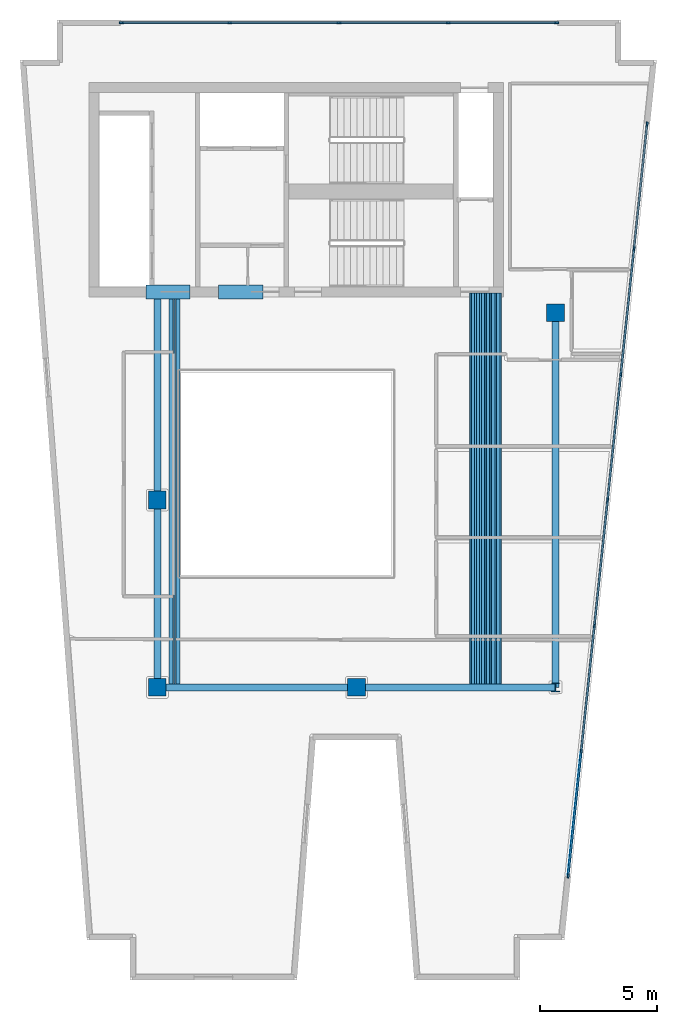
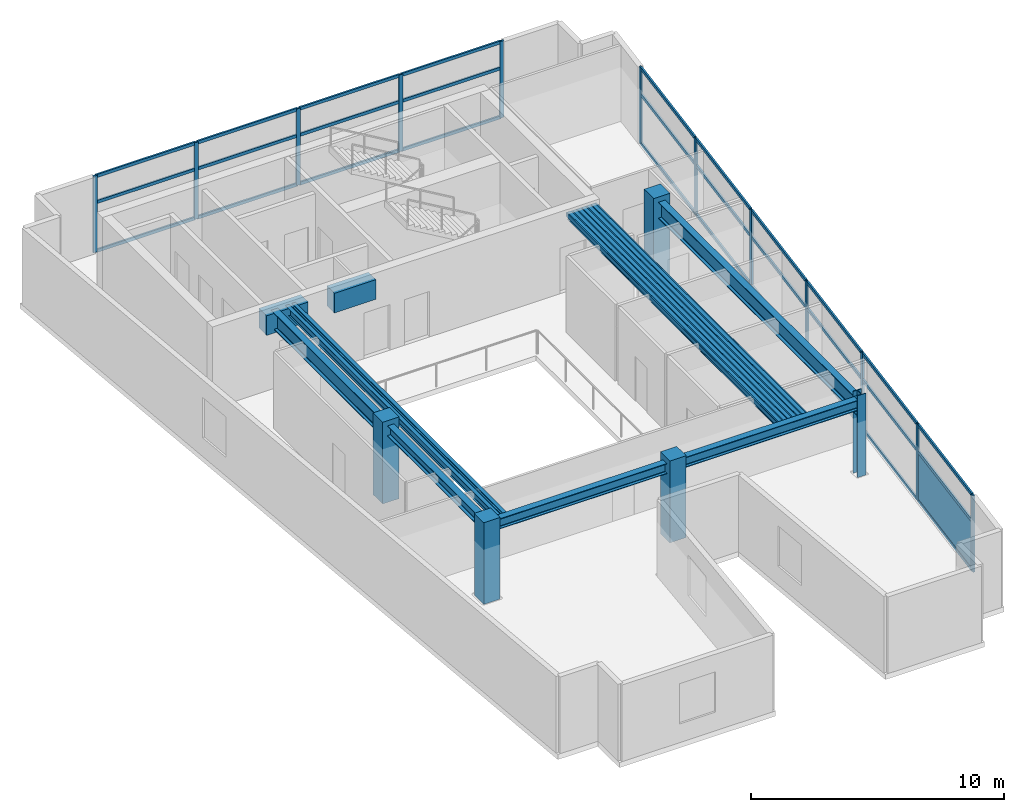
# One storey, part 1 of 6: 42 members, 23 beams, 5 columns, 1 plate, 2 elements without a shape of their own.
"""IFC4 building model written with IfcOpenShell, lengths in metres."""

from ifc_helpers import new_model, si_unit, direction, frame, origin, origin_2d, place, context, subcontext, project, spatial, rectangle, hollow_rectangle, i_section, extrude, material, layer, layer_set, material_profile, profile_set, type_object, element, aggregate, save


model = new_model("IFC4")

# Units and contexts
model_context = context("Model", 3, precision=1e-05, world=origin(), true_north=direction((0.0, 1.0)))
body_context = subcontext(model_context, "Body", "Model", "MODEL_VIEW")
ifc_project = project(units=[si_unit("LENGTHUNIT", "METRE"), si_unit("AREAUNIT", "SQUARE_METRE"), si_unit("VOLUMEUNIT", "CUBIC_METRE"), si_unit("PLANEANGLEUNIT", "RADIAN"), si_unit("MASSUNIT", "GRAM", prefix="KILO")], contexts=[model_context])

# Site, building, storey
site_placement = place(None, origin())
site = spatial("IfcSite", under=ifc_project, at=site_placement, CompositionType="ELEMENT")
building_placement = place(site_placement, origin())
building = spatial("IfcBuilding", under=site, at=building_placement, Name="Caeloran Harvest Quay", CompositionType="ELEMENT")
storey_placement = place(building_placement, frame((0.0, 0.0, 288.300048828125)))
storey = spatial("IfcBuildingStorey", under=building, at=storey_placement, Name="L69", CompositionType="ELEMENT", Elevation=288.300048828125)

# Columns
ifc_material_1 = material(Name="Concrete C60/75", Category="concrete")
ifc_material_profile_1 = material_profile(ifc_material_1, rectangle(XDim=0.75, YDim=0.75, at=origin_2d()), Name="RC 750x750")
ifc_profile_set_1 = profile_set([ifc_material_profile_1], Name="Concrete C60/75")
column_type_1 = type_object("IfcColumnType", Name="COL-MC-5-RC_750x750", PredefinedType="COLUMN", material=ifc_profile_set_1)
for number, where, z_axis, x_axis, name in (
    (1, (8.5, 15.0, 0.0), (0.0, 0.0, 1.0), (1.0, 0.0, 0.0), "L69 Structural Column (8.5, 15.0)"),
    (2, (8.5, 23.0, 0.0), (0.0, 0.0, 1.0), (1.0, 0.0, 0.0), "L69 Structural Column (8.5, 23.0)"),
    (3, (17.0, 15.0, 0.0), (0.0, 0.0, 1.0), (1.0, 0.0, 0.0), "L69 Structural Column (17.0, 15.0)"),
    (4, (25.5, 31.0, 0.0), (0.0, 0.0, 1.0), (1.0, 0.0, 0.0), "L69 Structural Column (25.5, 31.0)"),
):
    element("IfcColumn", number, at=place(storey_placement, frame(where, z_axis=z_axis, x_axis=x_axis)), inside=storey, type_object=column_type_1, Name=name, PredefinedType="COLUMN", context=body_context, shape_type="SweptSolid", body=[
        extrude(rectangle(XDim=0.75, YDim=0.75, at=origin_2d()), origin(), (0.0, 0.0, 1.0), 3.949951171875),
    ])
ifc_material_2 = material(Name="Steel S355J2", Category="steel")
ifc_material_profile_2 = material_profile(ifc_material_2, i_section(OverallWidth=0.3779296875, OverallDepth=0.386962890625, WebThickness=0.0224609375, FlangeThickness=0.03662109375, FilletRadius=0.014892578125, at=origin_2d()), Name="HD 360x262")
ifc_profile_set_2 = profile_set([ifc_material_profile_2], Name="Steel S355J2")
column_type_2 = type_object("IfcColumnType", Name="COL-SC-6-HD_360x262", PredefinedType="COLUMN", material=ifc_profile_set_2)
column_placement = place(storey_placement, frame((25.5, 15.0, 0.0), z_axis=(0.0, 0.0, 1.0), x_axis=(1.0, 0.0, 0.0)))
element("IfcColumn", 5, at=column_placement, inside=storey, type_object=column_type_2, Name="L69 Structural Column (25.5, 15.0)", PredefinedType="COLUMN", context=body_context, shape_type="SweptSolid", body=[
    extrude(i_section(OverallWidth=0.3779296875, OverallDepth=0.386962890625, WebThickness=0.0224609375, FlangeThickness=0.03662109375, FilletRadius=0.014892578125, at=origin_2d()), origin(), (0.0, 0.0, 1.0), 3.949951171875),
])

# Beams
ifc_material_profile_3 = material_profile(ifc_material_1, rectangle(XDim=0.60009765625, YDim=0.949951171875, at=origin_2d()), Name="RC 600x950")
ifc_profile_set_3 = profile_set([ifc_material_profile_3], Name="Concrete C60/75")
beam_type_1 = type_object("IfcBeamType", Name="BM-CB-2-RC_600x950", PredefinedType="LINTEL", material=ifc_profile_set_3)
for number, where, z_axis, x_axis, name in (
    (6, (8.0, 31.889892578125, 3.224853515625), (1.0, 0.0, 0.0), (0.0, 1.0, 0.0), "L69 Core Coupling Beam 1"),
    (7, (11.10009765625, 31.889892578125, 3.224853515625), (1.0, 0.0, 0.0), (0.0, 1.0, 0.0), "L69 Core Coupling Beam 2"),
):
    element("IfcBeam", number, at=place(storey_placement, frame(where, z_axis=z_axis, x_axis=x_axis)), inside=storey, type_object=beam_type_1, Name=name, PredefinedType="LINTEL", context=body_context, shape_type="SweptSolid", body=[
        extrude(rectangle(XDim=0.60009765625, YDim=0.949951171875, at=origin_2d()), origin(), (0.0, 0.0, 1.0), 1.89990234375),
    ])
ifc_material_profile_4 = material_profile(ifc_material_2, i_section(OverallWidth=0.300048828125, OverallDepth=0.800048828125, WebThickness=0.017578125, FlangeThickness=0.032958984375, FilletRadius=0.030029296875, at=origin_2d()), Name="HE 800 B")
ifc_profile_set_4 = profile_set([ifc_material_profile_4], Name="Steel S355J2")
beam_type_2 = type_object("IfcBeamType", Name="BM-PG-1-HE_800_B", PredefinedType="BEAM", material=ifc_profile_set_4)
beam_1_placement = place(storey_placement, frame((8.5, 23.0, 3.300048828125), z_axis=(0.0, 1.0, 0.0), x_axis=(-1.0, 0.0, 0.0)))
element("IfcBeam", 8, at=beam_1_placement, inside=storey, type_object=beam_type_2, Name="L69 Core South Tie Girder X=8.5", PredefinedType="BEAM", context=body_context, shape_type="SweptSolid", body=[
    extrude(i_section(OverallWidth=0.300048828125, OverallDepth=0.800048828125, WebThickness=0.017578125, FlangeThickness=0.032958984375, FilletRadius=0.030029296875, at=origin_2d()), origin(), (0.0, 0.0, 1.0), 8.840087890625),
])
beam_2_placement = place(storey_placement, frame((25.5, 15.0, 3.300048828125), z_axis=(0.0, 1.0, 0.0), x_axis=(-1.0, 0.0, 0.0)))
element("IfcBeam", 9, at=beam_2_placement, inside=storey, type_object=beam_type_2, Name="L69 Primary North-South Girder X=25.5", PredefinedType="BEAM", context=body_context, shape_type="SweptSolid", body=[
    extrude(i_section(OverallWidth=0.300048828125, OverallDepth=0.800048828125, WebThickness=0.017578125, FlangeThickness=0.032958984375, FilletRadius=0.030029296875, at=origin_2d()), origin(), (0.0, 0.0, 1.0), 16.0),
])
ifc_material_profile_5 = material_profile(ifc_material_2, i_section(OverallWidth=0.300048828125, OverallDepth=0.5, WebThickness=0.014404296875, FlangeThickness=0.028076171875, FilletRadius=0.027099609375, at=origin_2d()), Name="HE 500 B")
ifc_profile_set_5 = profile_set([ifc_material_profile_5], Name="Steel S355J2")
beam_type_3 = type_object("IfcBeamType", Name="BM-PG-4-HE_500_B", PredefinedType="BEAM", material=ifc_profile_set_5)
for number, where, z_axis, x_axis, name in (
    (10, (8.5, 15.0, 3.449951171875), (1.0, 0.0, 0.0), (0.0, 1.0, 0.0), "L69 Primary East-West Girder Y=15.0"),
    (11, (17.0, 15.0, 3.449951171875), (1.0, 0.0, 0.0), (0.0, 1.0, 0.0), "L69 Primary East-West Girder Y=15.0"),
):
    element("IfcBeam", number, at=place(storey_placement, frame(where, z_axis=z_axis, x_axis=x_axis)), inside=storey, type_object=beam_type_3, Name=name, PredefinedType="BEAM", context=body_context, shape_type="SweptSolid", body=[
        extrude(i_section(OverallWidth=0.300048828125, OverallDepth=0.5, WebThickness=0.014404296875, FlangeThickness=0.028076171875, FilletRadius=0.027099609375, at=origin_2d()), origin(), (0.0, 0.0, 1.0), 8.5),
    ])
beam_3_placement = place(storey_placement, frame((8.5, 15.0, 3.449951171875), z_axis=(0.0, 1.0, 0.0), x_axis=(-1.0, 0.0, 0.0)))
element("IfcBeam", 12, at=beam_3_placement, inside=storey, type_object=beam_type_3, Name="L69 Primary North-South Girder X=8.5", PredefinedType="BEAM", context=body_context, shape_type="SweptSolid", body=[
    extrude(i_section(OverallWidth=0.300048828125, OverallDepth=0.5, WebThickness=0.014404296875, FlangeThickness=0.028076171875, FilletRadius=0.027099609375, at=origin_2d()), origin(), (0.0, 0.0, 1.0), 8.0),
])
ifc_material_profile_6 = material_profile(ifc_material_2, i_section(OverallWidth=0.169921875, OverallDepth=0.360107421875, WebThickness=0.008056640625, FlangeThickness=0.0126953125, FilletRadius=0.01806640625, at=origin_2d()), Name="IPE 360")
ifc_profile_set_6 = profile_set([ifc_material_profile_6], Name="Steel S355J2")
beam_type_4 = type_object("IfcBeamType", Name="BM-SB-5-IPE_360", PredefinedType="JOIST", material=ifc_profile_set_6)
for number, where, z_axis, x_axis, name in (
    (13, (9.086181640625, 15.14501953125, 3.52001953125), (0.0, 1.0, 0.0), (-1.0, 0.0, 0.0), "L69 Secondary Composite Joist"),
    (14, (9.37939453125, 15.14501953125, 3.52001953125), (0.0, 1.0, 0.0), (-1.0, 0.0, 0.0), "L69 Secondary Composite Joist"),
    (15, (21.972900390625, 15.14501953125, 3.52001953125), (0.0, 1.0, 0.0), (-1.0, 0.0, 0.0), "L69 Secondary Composite Joist"),
    (16, (22.18896484375, 15.14501953125, 3.52001953125), (0.0, 1.0, 0.0), (-1.0, 0.0, 0.0), "L69 Secondary Composite Joist"),
    (17, (22.4052734375, 15.14501953125, 3.52001953125), (0.0, 1.0, 0.0), (-1.0, 0.0, 0.0), "L69 Secondary Composite Joist"),
    (18, (22.621337890625, 15.14501953125, 3.52001953125), (0.0, 1.0, 0.0), (-1.0, 0.0, 0.0), "L69 Secondary Composite Joist"),
    (19, (22.837646484375, 15.14501953125, 3.52001953125), (0.0, 1.0, 0.0), (-1.0, 0.0, 0.0), "L69 Secondary Composite Joist"),
    (20, (23.0537109375, 15.14501953125, 3.52001953125), (0.0, 1.0, 0.0), (-1.0, 0.0, 0.0), "L69 Secondary Composite Joist"),
):
    element("IfcBeam", number, at=place(storey_placement, frame(where, z_axis=z_axis, x_axis=x_axis)), inside=storey, type_object=beam_type_4, Name=name, PredefinedType="JOIST", context=body_context, shape_type="SweptSolid", body=[
        extrude(i_section(OverallWidth=0.169921875, OverallDepth=0.360107421875, WebThickness=0.008056640625, FlangeThickness=0.0126953125, FilletRadius=0.01806640625, at=origin_2d()), origin(), (0.0, 0.0, 1.0), 16.695068359375),
    ])
ifc_material_profile_7 = material_profile(ifc_material_2, hollow_rectangle(XDim=0.080078125, YDim=0.199951171875, WallThickness=0.006103515625, InnerFilletRadius=0.006103515625, OuterFilletRadius=0.009033203125, at=origin_2d()), Name="RHS 200x80x6")
ifc_profile_set_7 = profile_set([ifc_material_profile_7], Name="Steel S355J2")
beam_type_5 = type_object("IfcBeamType", Name="BM-SB-7-RHS_200x80x6", PredefinedType="JOIST", material=ifc_profile_set_7)
for number, where, z_axis, x_axis, name in (
    (21, (9.23291015625, 15.14501953125, 3.599853515625), (0.0, 1.0, 0.0), (-1.0, 0.0, 0.0), "L69 Secondary Composite Joist"),
    (22, (21.86474609375, 15.14501953125, 3.599853515625), (0.0, 1.0, 0.0), (-1.0, 0.0, 0.0), "L69 Secondary Composite Joist"),
    (23, (22.080810546875, 15.14501953125, 3.599853515625), (0.0, 1.0, 0.0), (-1.0, 0.0, 0.0), "L69 Secondary Composite Joist"),
    (24, (22.297119140625, 15.14501953125, 3.599853515625), (0.0, 1.0, 0.0), (-1.0, 0.0, 0.0), "L69 Secondary Composite Joist"),
    (25, (22.51318359375, 15.14501953125, 3.599853515625), (0.0, 1.0, 0.0), (-1.0, 0.0, 0.0), "L69 Secondary Composite Joist"),
    (26, (22.7294921875, 15.14501953125, 3.599853515625), (0.0, 1.0, 0.0), (-1.0, 0.0, 0.0), "L69 Secondary Composite Joist"),
    (27, (22.94580078125, 15.14501953125, 3.599853515625), (0.0, 1.0, 0.0), (-1.0, 0.0, 0.0), "L69 Secondary Composite Joist"),
    (28, (23.161865234375, 15.14501953125, 3.599853515625), (0.0, 1.0, 0.0), (-1.0, 0.0, 0.0), "L69 Secondary Composite Joist"),
):
    element("IfcBeam", number, at=place(storey_placement, frame(where, z_axis=z_axis, x_axis=x_axis)), inside=storey, type_object=beam_type_5, Name=name, PredefinedType="JOIST", context=body_context, shape_type="SweptSolid", body=[
        extrude(hollow_rectangle(XDim=0.080078125, YDim=0.199951171875, WallThickness=0.006103515625, InnerFilletRadius=0.006103515625, OuterFilletRadius=0.009033203125, at=origin_2d()), origin(), (0.0, 0.0, 1.0), 16.695068359375),
    ])

# Curtain wall, members
ifc_material_3 = material(Name="Aluminium 6063-T6 and Low-E Glazing", Category="aluminium")
ifc_layer_1 = layer(ifc_material_3, 0.219970703125, Name="Aluminium 6063-T6 and Low-E Glazing")
ifc_layer_set_1 = layer_set([ifc_layer_1], Name="Aluminium 6063-T6 and Low-E Glazing")
curtain_wall_type = type_object("IfcCurtainWallType", Name="CW-SYS-CW-5", PredefinedType="USERDEFINED", material=ifc_layer_set_1)
curtain_wall_1_placement = place(storey_placement, origin())
curtain_wall_1 = element("IfcCurtainWall", 29, at=curtain_wall_1_placement, inside=storey, type_object=curtain_wall_type, Name="L69 Unitised Curtain Wall CW-5 Run 6", ObjectType="CURTAIN_WALL", PredefinedType="USERDEFINED")
ifc_material_4 = material(Name="Aluminium 6063-T6", Category="aluminium")
ifc_material_profile_8 = material_profile(ifc_material_4, rectangle(XDim=0.080078125, YDim=0.179931640625, at=origin_2d()), Name="CW-MULLION-180")
ifc_profile_set_8 = profile_set([ifc_material_profile_8], Name="Aluminium 6063-T6")
member_type_1 = type_object("IfcMemberType", Name="CW-MULLION-180", PredefinedType="MULLION", material=ifc_profile_set_8)
member_1_placement = place(storey_placement, frame((6.9599609375, 43.3798828125, 0.0), z_axis=(0.0, 0.0, 1.0), x_axis=(0.0, 1.0, 0.0)))
member_1 = element("IfcMember", 30, at=member_1_placement, type_object=member_type_1, Name="CW-5 mullion 1", PredefinedType="MULLION", context=body_context, shape_type="SweptSolid", body=[
    extrude(rectangle(XDim=0.080078125, YDim=0.179931640625, at=origin_2d()), origin(), (0.0, 0.0, 1.0), 3.699951171875),
])
member_2_placement = place(storey_placement, frame((11.5849609375, 43.3798828125, 0.0), z_axis=(0.0, 0.0, 1.0), x_axis=(0.0, 1.0, 0.0)))
member_2 = element("IfcMember", 31, at=member_2_placement, type_object=member_type_1, Name="CW-5 mullion 2", PredefinedType="MULLION", context=body_context, shape_type="SweptSolid", body=[
    extrude(rectangle(XDim=0.080078125, YDim=0.179931640625, at=origin_2d()), origin(), (0.0, 0.0, 1.0), 3.699951171875),
])
member_3_placement = place(storey_placement, frame((16.25, 43.3798828125, 0.0), z_axis=(0.0, 0.0, 1.0), x_axis=(0.0, 1.0, 0.0)))
member_3 = element("IfcMember", 32, at=member_3_placement, type_object=member_type_1, Name="CW-5 mullion 3", PredefinedType="MULLION", context=body_context, shape_type="SweptSolid", body=[
    extrude(rectangle(XDim=0.080078125, YDim=0.179931640625, at=origin_2d()), origin(), (0.0, 0.0, 1.0), 3.699951171875),
])
member_4_placement = place(storey_placement, frame((20.9150390625, 43.3798828125, 0.0), z_axis=(0.0, 0.0, 1.0), x_axis=(0.0, 1.0, 0.0)))
member_4 = element("IfcMember", 33, at=member_4_placement, type_object=member_type_1, Name="CW-5 mullion 4", PredefinedType="MULLION", context=body_context, shape_type="SweptSolid", body=[
    extrude(rectangle(XDim=0.080078125, YDim=0.179931640625, at=origin_2d()), origin(), (0.0, 0.0, 1.0), 3.699951171875),
])
member_5_placement = place(storey_placement, frame((25.5400390625, 43.3798828125, 0.0), z_axis=(0.0, 0.0, 1.0), x_axis=(0.0, 1.0, 0.0)))
member_5 = element("IfcMember", 34, at=member_5_placement, type_object=member_type_1, Name="CW-5 mullion 5", PredefinedType="MULLION", context=body_context, shape_type="SweptSolid", body=[
    extrude(rectangle(XDim=0.080078125, YDim=0.179931640625, at=origin_2d()), origin(), (0.0, 0.0, 1.0), 3.699951171875),
])

curtain_wall_2_placement = place(storey_placement, origin())
curtain_wall_2 = element("IfcCurtainWall", 35, at=curtain_wall_2_placement, inside=storey, type_object=curtain_wall_type, Name="L69 Unitised Curtain Wall CW-5 Run 9", ObjectType="CURTAIN_WALL", PredefinedType="USERDEFINED")
member_6_placement = place(storey_placement, frame((29.412353515625, 39.054443359375, 0.0), z_axis=(0.0, 0.0, 1.0), x_axis=(0.994529078655, -0.104460096251, 0.0)))
member_6 = element("IfcMember", 36, at=member_6_placement, type_object=member_type_1, Name="CW-5 mullion 1", PredefinedType="MULLION", context=body_context, shape_type="SweptSolid", body=[
    extrude(rectangle(XDim=0.080078125, YDim=0.179931640625, at=origin_2d()), origin(), (0.0, 0.0, 1.0), 3.699951171875),
])
member_7_placement = place(storey_placement, frame((28.85302734375, 33.7294921875, 0.0), z_axis=(0.0, 0.0, 1.0), x_axis=(0.994529078655, -0.104460096251, 0.0)))
member_7 = element("IfcMember", 37, at=member_7_placement, type_object=member_type_1, Name="CW-5 mullion 2", PredefinedType="MULLION", context=body_context, shape_type="SweptSolid", body=[
    extrude(rectangle(XDim=0.080078125, YDim=0.179931640625, at=origin_2d()), origin(), (0.0, 0.0, 1.0), 3.699951171875),
])
member_8_placement = place(storey_placement, frame((28.28955078125, 28.36474609375, 0.0), z_axis=(0.0, 0.0, 1.0), x_axis=(0.994529078655, -0.104460096251, 0.0)))
member_8 = element("IfcMember", 38, at=member_8_placement, type_object=member_type_1, Name="CW-5 mullion 3", PredefinedType="MULLION", context=body_context, shape_type="SweptSolid", body=[
    extrude(rectangle(XDim=0.080078125, YDim=0.179931640625, at=origin_2d()), origin(), (0.0, 0.0, 1.0), 3.699951171875),
])
member_9_placement = place(storey_placement, frame((27.72607421875, 23.0, 0.0), z_axis=(0.0, 0.0, 1.0), x_axis=(0.994529078655, -0.104460096251, 0.0)))
member_9 = element("IfcMember", 39, at=member_9_placement, type_object=member_type_1, Name="CW-5 mullion 4", PredefinedType="MULLION", context=body_context, shape_type="SweptSolid", body=[
    extrude(rectangle(XDim=0.080078125, YDim=0.179931640625, at=origin_2d()), origin(), (0.0, 0.0, 1.0), 3.699951171875),
])
member_10_placement = place(storey_placement, frame((27.16259765625, 17.63525390625, 0.0), z_axis=(0.0, 0.0, 1.0), x_axis=(0.994529078655, -0.104460096251, 0.0)))
member_10 = element("IfcMember", 40, at=member_10_placement, type_object=member_type_1, Name="CW-5 mullion 5", PredefinedType="MULLION", context=body_context, shape_type="SweptSolid", body=[
    extrude(rectangle(XDim=0.080078125, YDim=0.179931640625, at=origin_2d()), origin(), (0.0, 0.0, 1.0), 3.699951171875),
])
member_11_placement = place(storey_placement, frame((26.59912109375, 12.2705078125, 0.0), z_axis=(0.0, 0.0, 1.0), x_axis=(0.994529078655, -0.104460096251, 0.0)))
member_11 = element("IfcMember", 41, at=member_11_placement, type_object=member_type_1, Name="CW-5 mullion 6", PredefinedType="MULLION", context=body_context, shape_type="SweptSolid", body=[
    extrude(rectangle(XDim=0.080078125, YDim=0.179931640625, at=origin_2d()), origin(), (0.0, 0.0, 1.0), 3.699951171875),
])
member_12_placement = place(storey_placement, frame((26.039794921875, 6.945556640625, 0.0), z_axis=(0.0, 0.0, 1.0), x_axis=(0.994529078655, -0.104460096251, 0.0)))
member_12 = element("IfcMember", 42, at=member_12_placement, type_object=member_type_1, Name="CW-5 mullion 7", PredefinedType="MULLION", context=body_context, shape_type="SweptSolid", body=[
    extrude(rectangle(XDim=0.080078125, YDim=0.179931640625, at=origin_2d()), origin(), (0.0, 0.0, 1.0), 3.699951171875),
])

# Member
ifc_material_profile_9 = material_profile(ifc_material_4, rectangle(XDim=0.080078125, YDim=0.14990234375, at=origin_2d()), Name="CW-TRANSOM-150")
ifc_profile_set_9 = profile_set([ifc_material_profile_9], Name="Aluminium 6063-T6")
member_type_2 = type_object("IfcMemberType", Name="CW-TRANSOM-150", PredefinedType="USERDEFINED", material=ifc_profile_set_9)
member_13_placement = place(storey_placement, frame((7.0, 43.3798828125, 0.0400390625), z_axis=(1.0, 0.0, 0.0), x_axis=(0.0, 1.0, 0.0)))
member_13 = element("IfcMember", 43, at=member_13_placement, type_object=member_type_2, Name="CW-5 transom 1.1", ObjectType="TRANSOM", PredefinedType="USERDEFINED", context=body_context, shape_type="SweptSolid", body=[
    extrude(rectangle(XDim=0.080078125, YDim=0.14990234375, at=origin_2d()), origin(), (0.0, 0.0, 1.0), 4.544921875),
])

member_14_placement = place(storey_placement, frame((7.0, 43.3798828125, 2.39990234375), z_axis=(1.0, 0.0, 0.0), x_axis=(0.0, 1.0, 0.0)))
member_14 = element("IfcMember", 44, at=member_14_placement, type_object=member_type_2, Name="CW-5 transom 1.2", ObjectType="TRANSOM", PredefinedType="USERDEFINED", context=body_context, shape_type="SweptSolid", body=[
    extrude(rectangle(XDim=0.080078125, YDim=0.14990234375, at=origin_2d()), origin(), (0.0, 0.0, 1.0), 4.544921875),
])

member_15_placement = place(storey_placement, frame((7.0, 43.3798828125, 3.659912109375), z_axis=(1.0, 0.0, 0.0), x_axis=(0.0, 1.0, 0.0)))
member_15 = element("IfcMember", 45, at=member_15_placement, type_object=member_type_2, Name="CW-5 transom 1.3", ObjectType="TRANSOM", PredefinedType="USERDEFINED", context=body_context, shape_type="SweptSolid", body=[
    extrude(rectangle(XDim=0.080078125, YDim=0.14990234375, at=origin_2d()), origin(), (0.0, 0.0, 1.0), 4.544921875),
])

member_16_placement = place(storey_placement, frame((11.625, 43.3798828125, 0.0400390625), z_axis=(1.0, 0.0, 0.0), x_axis=(0.0, 1.0, 0.0)))
member_16 = element("IfcMember", 46, at=member_16_placement, type_object=member_type_2, Name="CW-5 transom 2.1", ObjectType="TRANSOM", PredefinedType="USERDEFINED", context=body_context, shape_type="SweptSolid", body=[
    extrude(rectangle(XDim=0.080078125, YDim=0.14990234375, at=origin_2d()), origin(), (0.0, 0.0, 1.0), 4.5849609375),
])

member_17_placement = place(storey_placement, frame((11.625, 43.3798828125, 2.39990234375), z_axis=(1.0, 0.0, 0.0), x_axis=(0.0, 1.0, 0.0)))
member_17 = element("IfcMember", 47, at=member_17_placement, type_object=member_type_2, Name="CW-5 transom 2.2", ObjectType="TRANSOM", PredefinedType="USERDEFINED", context=body_context, shape_type="SweptSolid", body=[
    extrude(rectangle(XDim=0.080078125, YDim=0.14990234375, at=origin_2d()), origin(), (0.0, 0.0, 1.0), 4.5849609375),
])

member_18_placement = place(storey_placement, frame((11.625, 43.3798828125, 3.659912109375), z_axis=(1.0, 0.0, 0.0), x_axis=(0.0, 1.0, 0.0)))
member_18 = element("IfcMember", 48, at=member_18_placement, type_object=member_type_2, Name="CW-5 transom 2.3", ObjectType="TRANSOM", PredefinedType="USERDEFINED", context=body_context, shape_type="SweptSolid", body=[
    extrude(rectangle(XDim=0.080078125, YDim=0.14990234375, at=origin_2d()), origin(), (0.0, 0.0, 1.0), 4.5849609375),
])

member_19_placement = place(storey_placement, frame((16.2900390625, 43.3798828125, 0.0400390625), z_axis=(1.0, 0.0, 0.0), x_axis=(0.0, 1.0, 0.0)))
member_19 = element("IfcMember", 49, at=member_19_placement, type_object=member_type_2, Name="CW-5 transom 3.1", ObjectType="TRANSOM", PredefinedType="USERDEFINED", context=body_context, shape_type="SweptSolid", body=[
    extrude(rectangle(XDim=0.080078125, YDim=0.14990234375, at=origin_2d()), origin(), (0.0, 0.0, 1.0), 4.5849609375),
])

member_20_placement = place(storey_placement, frame((16.2900390625, 43.3798828125, 2.39990234375), z_axis=(1.0, 0.0, 0.0), x_axis=(0.0, 1.0, 0.0)))
member_20 = element("IfcMember", 50, at=member_20_placement, type_object=member_type_2, Name="CW-5 transom 3.2", ObjectType="TRANSOM", PredefinedType="USERDEFINED", context=body_context, shape_type="SweptSolid", body=[
    extrude(rectangle(XDim=0.080078125, YDim=0.14990234375, at=origin_2d()), origin(), (0.0, 0.0, 1.0), 4.5849609375),
])

member_21_placement = place(storey_placement, frame((16.2900390625, 43.3798828125, 3.659912109375), z_axis=(1.0, 0.0, 0.0), x_axis=(0.0, 1.0, 0.0)))
member_21 = element("IfcMember", 51, at=member_21_placement, type_object=member_type_2, Name="CW-5 transom 3.3", ObjectType="TRANSOM", PredefinedType="USERDEFINED", context=body_context, shape_type="SweptSolid", body=[
    extrude(rectangle(XDim=0.080078125, YDim=0.14990234375, at=origin_2d()), origin(), (0.0, 0.0, 1.0), 4.5849609375),
])

member_22_placement = place(storey_placement, frame((20.955078125, 43.3798828125, 0.0400390625), z_axis=(1.0, 0.0, 0.0), x_axis=(0.0, 1.0, 0.0)))
member_22 = element("IfcMember", 52, at=member_22_placement, type_object=member_type_2, Name="CW-5 transom 4.1", ObjectType="TRANSOM", PredefinedType="USERDEFINED", context=body_context, shape_type="SweptSolid", body=[
    extrude(rectangle(XDim=0.080078125, YDim=0.14990234375, at=origin_2d()), origin(), (0.0, 0.0, 1.0), 4.544921875),
])

member_23_placement = place(storey_placement, frame((20.955078125, 43.3798828125, 2.39990234375), z_axis=(1.0, 0.0, 0.0), x_axis=(0.0, 1.0, 0.0)))
member_23 = element("IfcMember", 53, at=member_23_placement, type_object=member_type_2, Name="CW-5 transom 4.2", ObjectType="TRANSOM", PredefinedType="USERDEFINED", context=body_context, shape_type="SweptSolid", body=[
    extrude(rectangle(XDim=0.080078125, YDim=0.14990234375, at=origin_2d()), origin(), (0.0, 0.0, 1.0), 4.544921875),
])

member_24_placement = place(storey_placement, frame((20.955078125, 43.3798828125, 3.659912109375), z_axis=(1.0, 0.0, 0.0), x_axis=(0.0, 1.0, 0.0)))
member_24 = element("IfcMember", 54, at=member_24_placement, type_object=member_type_2, Name="CW-5 transom 4.3", ObjectType="TRANSOM", PredefinedType="USERDEFINED", context=body_context, shape_type="SweptSolid", body=[
    extrude(rectangle(XDim=0.080078125, YDim=0.14990234375, at=origin_2d()), origin(), (0.0, 0.0, 1.0), 4.544921875),
])

aggregate(curtain_wall_1, [member_1, member_2, member_3, member_4, member_5, member_13, member_14, member_15, member_16, member_17, member_18, member_19, member_20, member_21, member_22, member_23, member_24])

member_25_placement = place(storey_placement, frame((29.408203125, 39.0146484375, 0.0400390625), z_axis=(-0.104475148335, -0.994527497549, 0.0), x_axis=(0.994527497549, -0.104475148335, 0.0)))
member_25 = element("IfcMember", 55, at=member_25_placement, type_object=member_type_2, Name="CW-5 transom 1.1", ObjectType="TRANSOM", PredefinedType="USERDEFINED", context=body_context, shape_type="SweptSolid", body=[
    extrude(rectangle(XDim=0.080078125, YDim=0.14990234375, at=origin_2d()), origin(), (0.0, 0.0, 1.0), 5.274169921875),
])

member_26_placement = place(storey_placement, frame((29.408203125, 39.0146484375, 2.39990234375), z_axis=(-0.104475148335, -0.994527497549, 0.0), x_axis=(0.994527497549, -0.104475148335, 0.0)))
member_26 = element("IfcMember", 56, at=member_26_placement, type_object=member_type_2, Name="CW-5 transom 1.2", ObjectType="TRANSOM", PredefinedType="USERDEFINED", context=body_context, shape_type="SweptSolid", body=[
    extrude(rectangle(XDim=0.080078125, YDim=0.14990234375, at=origin_2d()), origin(), (0.0, 0.0, 1.0), 5.274169921875),
])

member_27_placement = place(storey_placement, frame((29.408203125, 39.0146484375, 3.659912109375), z_axis=(-0.104475148335, -0.994527497549, 0.0), x_axis=(0.994527497549, -0.104475148335, 0.0)))
member_27 = element("IfcMember", 57, at=member_27_placement, type_object=member_type_2, Name="CW-5 transom 1.3", ObjectType="TRANSOM", PredefinedType="USERDEFINED", context=body_context, shape_type="SweptSolid", body=[
    extrude(rectangle(XDim=0.080078125, YDim=0.14990234375, at=origin_2d()), origin(), (0.0, 0.0, 1.0), 5.274169921875),
])

member_28_placement = place(storey_placement, frame((28.848876953125, 33.689697265625, 0.0400390625), z_axis=(-0.104469552209, -0.994528085406, 0.0), x_axis=(0.994528085406, -0.104469552209, 0.0)))
member_28 = element("IfcMember", 58, at=member_28_placement, type_object=member_type_2, Name="CW-5 transom 2.1", ObjectType="TRANSOM", PredefinedType="USERDEFINED", context=body_context, shape_type="SweptSolid", body=[
    extrude(rectangle(XDim=0.080078125, YDim=0.14990234375, at=origin_2d()), origin(), (0.0, 0.0, 1.0), 5.314208984375),
])

member_29_placement = place(storey_placement, frame((28.848876953125, 33.689697265625, 2.39990234375), z_axis=(-0.104469552209, -0.994528085406, 0.0), x_axis=(0.994528085406, -0.104469552209, 0.0)))
member_29 = element("IfcMember", 59, at=member_29_placement, type_object=member_type_2, Name="CW-5 transom 2.2", ObjectType="TRANSOM", PredefinedType="USERDEFINED", context=body_context, shape_type="SweptSolid", body=[
    extrude(rectangle(XDim=0.080078125, YDim=0.14990234375, at=origin_2d()), origin(), (0.0, 0.0, 1.0), 5.314208984375),
])

member_30_placement = place(storey_placement, frame((28.848876953125, 33.689697265625, 3.659912109375), z_axis=(-0.104469552209, -0.994528085406, 0.0), x_axis=(0.994528085406, -0.104469552209, 0.0)))
member_30 = element("IfcMember", 60, at=member_30_placement, type_object=member_type_2, Name="CW-5 transom 2.3", ObjectType="TRANSOM", PredefinedType="USERDEFINED", context=body_context, shape_type="SweptSolid", body=[
    extrude(rectangle(XDim=0.080078125, YDim=0.14990234375, at=origin_2d()), origin(), (0.0, 0.0, 1.0), 5.314208984375),
])

member_31_placement = place(storey_placement, frame((28.285400390625, 28.324951171875, 0.0400390625), z_axis=(-0.104469552209, -0.994528085406, 0.0), x_axis=(0.994528085406, -0.104469552209, 0.0)))
member_31 = element("IfcMember", 61, at=member_31_placement, type_object=member_type_2, Name="CW-5 transom 3.1", ObjectType="TRANSOM", PredefinedType="USERDEFINED", context=body_context, shape_type="SweptSolid", body=[
    extrude(rectangle(XDim=0.080078125, YDim=0.14990234375, at=origin_2d()), origin(), (0.0, 0.0, 1.0), 5.314208984375),
])

member_32_placement = place(storey_placement, frame((28.285400390625, 28.324951171875, 2.39990234375), z_axis=(-0.104469552209, -0.994528085406, 0.0), x_axis=(0.994528085406, -0.104469552209, 0.0)))
member_32 = element("IfcMember", 62, at=member_32_placement, type_object=member_type_2, Name="CW-5 transom 3.2", ObjectType="TRANSOM", PredefinedType="USERDEFINED", context=body_context, shape_type="SweptSolid", body=[
    extrude(rectangle(XDim=0.080078125, YDim=0.14990234375, at=origin_2d()), origin(), (0.0, 0.0, 1.0), 5.314208984375),
])

member_33_placement = place(storey_placement, frame((28.285400390625, 28.324951171875, 3.659912109375), z_axis=(-0.104469552209, -0.994528085406, 0.0), x_axis=(0.994528085406, -0.104469552209, 0.0)))
member_33 = element("IfcMember", 63, at=member_33_placement, type_object=member_type_2, Name="CW-5 transom 3.3", ObjectType="TRANSOM", PredefinedType="USERDEFINED", context=body_context, shape_type="SweptSolid", body=[
    extrude(rectangle(XDim=0.080078125, YDim=0.14990234375, at=origin_2d()), origin(), (0.0, 0.0, 1.0), 5.314208984375),
])

member_34_placement = place(storey_placement, frame((27.721923828125, 22.960205078125, 0.0400390625), z_axis=(-0.104469552209, -0.994528085406, 0.0), x_axis=(0.994528085406, -0.104469552209, 0.0)))
member_34 = element("IfcMember", 64, at=member_34_placement, type_object=member_type_2, Name="CW-5 transom 4.1", ObjectType="TRANSOM", PredefinedType="USERDEFINED", context=body_context, shape_type="SweptSolid", body=[
    extrude(rectangle(XDim=0.080078125, YDim=0.14990234375, at=origin_2d()), origin(), (0.0, 0.0, 1.0), 5.314208984375),
])

member_35_placement = place(storey_placement, frame((27.721923828125, 22.960205078125, 2.39990234375), z_axis=(-0.104469552209, -0.994528085406, 0.0), x_axis=(0.994528085406, -0.104469552209, 0.0)))
member_35 = element("IfcMember", 65, at=member_35_placement, type_object=member_type_2, Name="CW-5 transom 4.2", ObjectType="TRANSOM", PredefinedType="USERDEFINED", context=body_context, shape_type="SweptSolid", body=[
    extrude(rectangle(XDim=0.080078125, YDim=0.14990234375, at=origin_2d()), origin(), (0.0, 0.0, 1.0), 5.314208984375),
])

member_36_placement = place(storey_placement, frame((27.721923828125, 22.960205078125, 3.659912109375), z_axis=(-0.104469552209, -0.994528085406, 0.0), x_axis=(0.994528085406, -0.104469552209, 0.0)))
member_36 = element("IfcMember", 66, at=member_36_placement, type_object=member_type_2, Name="CW-5 transom 4.3", ObjectType="TRANSOM", PredefinedType="USERDEFINED", context=body_context, shape_type="SweptSolid", body=[
    extrude(rectangle(XDim=0.080078125, YDim=0.14990234375, at=origin_2d()), origin(), (0.0, 0.0, 1.0), 5.314208984375),
])

member_37_placement = place(storey_placement, frame((27.158447265625, 17.595458984375, 0.0400390625), z_axis=(-0.104469552209, -0.994528085406, 0.0), x_axis=(0.994528085406, -0.104469552209, 0.0)))
member_37 = element("IfcMember", 67, at=member_37_placement, type_object=member_type_2, Name="CW-5 transom 5.1", ObjectType="TRANSOM", PredefinedType="USERDEFINED", context=body_context, shape_type="SweptSolid", body=[
    extrude(rectangle(XDim=0.080078125, YDim=0.14990234375, at=origin_2d()), origin(), (0.0, 0.0, 1.0), 5.314208984375),
])

member_38_placement = place(storey_placement, frame((27.158447265625, 17.595458984375, 2.39990234375), z_axis=(-0.104469552209, -0.994528085406, 0.0), x_axis=(0.994528085406, -0.104469552209, 0.0)))
member_38 = element("IfcMember", 68, at=member_38_placement, type_object=member_type_2, Name="CW-5 transom 5.2", ObjectType="TRANSOM", PredefinedType="USERDEFINED", context=body_context, shape_type="SweptSolid", body=[
    extrude(rectangle(XDim=0.080078125, YDim=0.14990234375, at=origin_2d()), origin(), (0.0, 0.0, 1.0), 5.314208984375),
])

member_39_placement = place(storey_placement, frame((27.158447265625, 17.595458984375, 3.659912109375), z_axis=(-0.104469552209, -0.994528085406, 0.0), x_axis=(0.994528085406, -0.104469552209, 0.0)))
member_39 = element("IfcMember", 69, at=member_39_placement, type_object=member_type_2, Name="CW-5 transom 5.3", ObjectType="TRANSOM", PredefinedType="USERDEFINED", context=body_context, shape_type="SweptSolid", body=[
    extrude(rectangle(XDim=0.080078125, YDim=0.14990234375, at=origin_2d()), origin(), (0.0, 0.0, 1.0), 5.314208984375),
])

member_40_placement = place(storey_placement, frame((26.594970703125, 12.230712890625, 0.0400390625), z_axis=(-0.104475148335, -0.994527497549, 0.0), x_axis=(0.994527497549, -0.104475148335, 0.0)))
member_40 = element("IfcMember", 70, at=member_40_placement, type_object=member_type_2, Name="CW-5 transom 6.1", ObjectType="TRANSOM", PredefinedType="USERDEFINED", context=body_context, shape_type="SweptSolid", body=[
    extrude(rectangle(XDim=0.080078125, YDim=0.14990234375, at=origin_2d()), origin(), (0.0, 0.0, 1.0), 5.274169921875),
])

member_41_placement = place(storey_placement, frame((26.594970703125, 12.230712890625, 2.39990234375), z_axis=(-0.104475148335, -0.994527497549, 0.0), x_axis=(0.994527497549, -0.104475148335, 0.0)))
member_41 = element("IfcMember", 71, at=member_41_placement, type_object=member_type_2, Name="CW-5 transom 6.2", ObjectType="TRANSOM", PredefinedType="USERDEFINED", context=body_context, shape_type="SweptSolid", body=[
    extrude(rectangle(XDim=0.080078125, YDim=0.14990234375, at=origin_2d()), origin(), (0.0, 0.0, 1.0), 5.274169921875),
])

member_42_placement = place(storey_placement, frame((26.594970703125, 12.230712890625, 3.659912109375), z_axis=(-0.104475148335, -0.994527497549, 0.0), x_axis=(0.994527497549, -0.104475148335, 0.0)))
member_42 = element("IfcMember", 72, at=member_42_placement, type_object=member_type_2, Name="CW-5 transom 6.3", ObjectType="TRANSOM", PredefinedType="USERDEFINED", context=body_context, shape_type="SweptSolid", body=[
    extrude(rectangle(XDim=0.080078125, YDim=0.14990234375, at=origin_2d()), origin(), (0.0, 0.0, 1.0), 5.274169921875),
])

# Plate
ifc_material_5 = material(Name="Low-E Double Glazed Vision Glass Unit", Category="glass")
ifc_layer_2 = layer(ifc_material_5, 0.035888671875, Name="Low-E Double Glazed Vision Glass Unit")
ifc_layer_set_2 = layer_set([ifc_layer_2], Name="Low-E Double Glazed Vision Glass Unit")
plate_type = type_object("IfcPlateType", Name="CW-VISION-PANEL", PredefinedType="CURTAIN_PANEL", material=ifc_layer_set_2)
plate_placement = place(storey_placement, frame((26.3193359375, 9.608154296875, 0.080078125), z_axis=(0.0, 0.0, 1.0), x_axis=(-0.104460096251, -0.994529078655, 0.0)))
plate = element("IfcPlate", 73, at=plate_placement, type_object=plate_type, Name="CW-5 panel 6.1", PredefinedType="CURTAIN_PANEL", context=body_context, shape_type="SweptSolid", body=[
    extrude(rectangle(XDim=5.274169921875, YDim=0.035888671875, at=origin_2d()), origin(), (0.0, 0.0, 1.0), 2.280029296875),
])

aggregate(curtain_wall_2, [member_6, member_7, member_8, member_9, member_10, member_11, member_12, member_25, member_26, member_27, member_28, member_29, member_30, member_31, member_32, member_33, member_34, member_35, member_36, member_37, member_38, member_39, member_40, member_41, member_42, plate])

save(model, "model.ifc")
